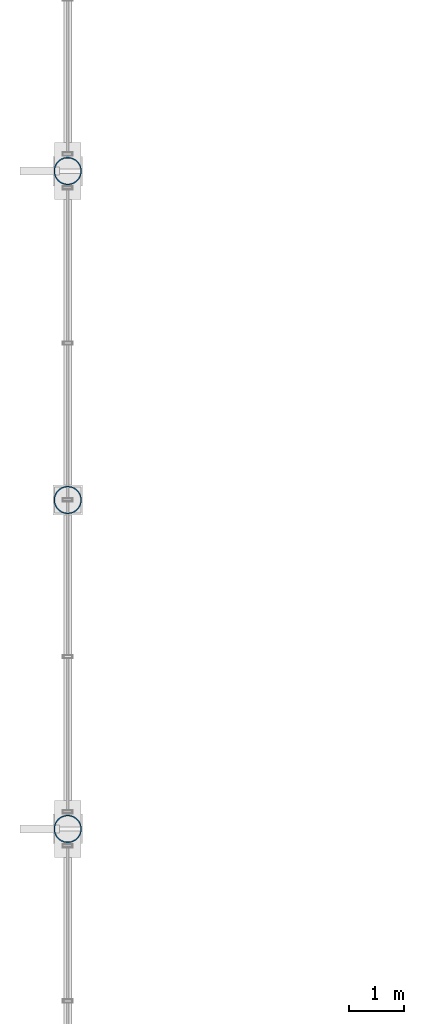
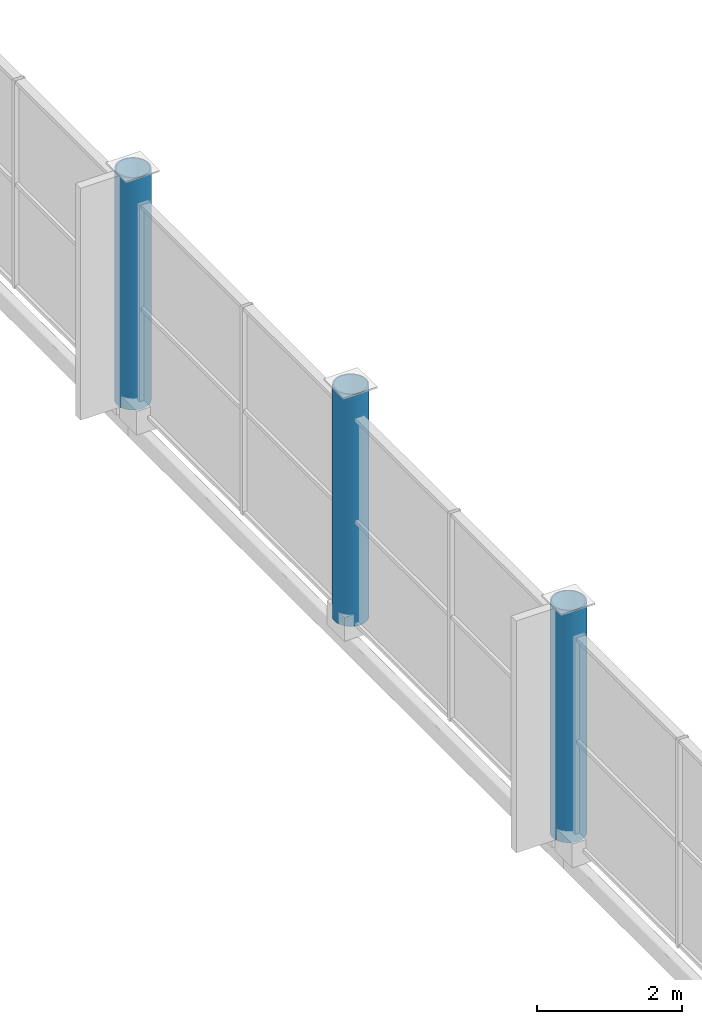
# One storey, part 4 of 117: 3 columns.
"""IFC4 building model written with IfcOpenShell, lengths in metres."""

from ifc_helpers import new_model, si_unit, direction, frame, origin, origin_2d, place, context, subcontext, project, spatial, hollow_circle, extrude, material, material_profile, profile_set, type_object, element, save


model = new_model("IFC4")

# Units and contexts
model_context = context("Model", 3, precision=1e-05, world=origin(), true_north=direction((0.0, 1.0)))
body_context = subcontext(model_context, "Body", "Model", "MODEL_VIEW")
ifc_project = project(units=[si_unit("LENGTHUNIT", "METRE"), si_unit("AREAUNIT", "SQUARE_METRE"), si_unit("VOLUMEUNIT", "CUBIC_METRE"), si_unit("PLANEANGLEUNIT", "RADIAN"), si_unit("MASSUNIT", "GRAM", prefix="KILO")], contexts=[model_context])

# Site, building, storey
site_placement = place(None, origin())
site = spatial("IfcSite", under=ifc_project, at=site_placement, CompositionType="ELEMENT")
building_placement = place(site_placement, origin())
building = spatial("IfcBuilding", under=site, at=building_placement, Name="Merenkruunu Market Hall", CompositionType="ELEMENT")
storey_placement = place(building_placement, frame((0.0, 0.0, 10.199951171875)))
storey = spatial("IfcBuildingStorey", under=building, at=storey_placement, Name="L02", CompositionType="ELEMENT", Elevation=10.199951171875)

# Columns
ifc_material = material(Name="Steel S355ML", Category="steel")
ifc_material_profile = material_profile(ifc_material, hollow_circle(Radius=0.25390625, WallThickness=0.02001953125, at=origin_2d()), Name="CHS 508x20")
ifc_profile_set = profile_set([ifc_material_profile], Name="Steel S355ML")
column_type = type_object("IfcColumnType", Name="Structural Column C11", PredefinedType="COLUMN", material=ifc_profile_set)
for number, where, z_axis, x_axis, name in (
    (1, (0.0, 39.60009765625, 0.0), (0.0, 0.0, 1.0), (1.0, 0.0, 0.0), "COL-L02-A-05"),
    (2, (0.0, 45.60009765625, 0.0), (0.0, 0.0, 1.0), (1.0, 0.0, 0.0), "COL-L02-A-06"),
    (3, (0.0, 51.60009765625, 0.0), (0.0, 0.0, 1.0), (1.0, 0.0, 0.0), "COL-L02-A-07"),
):
    element("IfcColumn", number, at=place(storey_placement, frame(where, z_axis=z_axis, x_axis=x_axis)), inside=storey, type_object=column_type, Name=name, PredefinedType="COLUMN", context=body_context, shape_type="SweptSolid", body=[
        extrude(hollow_circle(Radius=0.25390625, WallThickness=0.02001953125, at=origin_2d()), origin(), (0.0, 0.0, 1.0), 3.900146484375),
    ])

save(model, "model.ifc")
